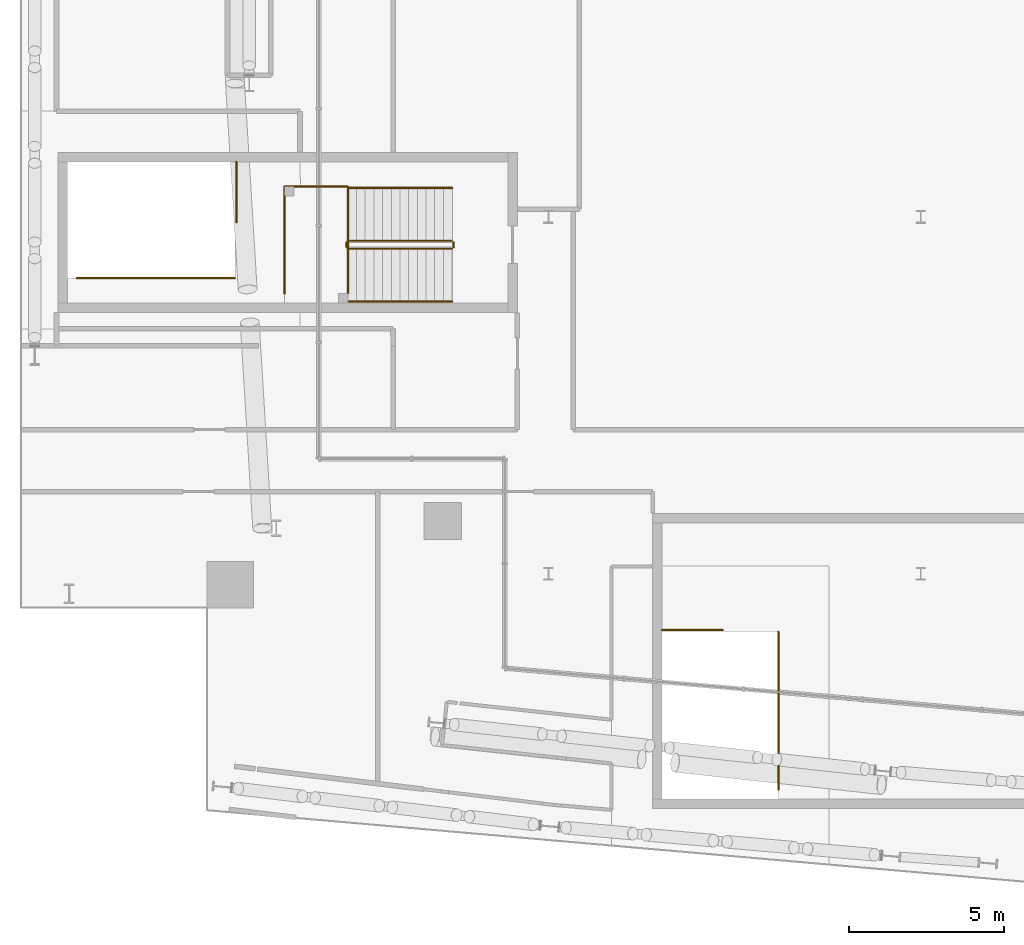
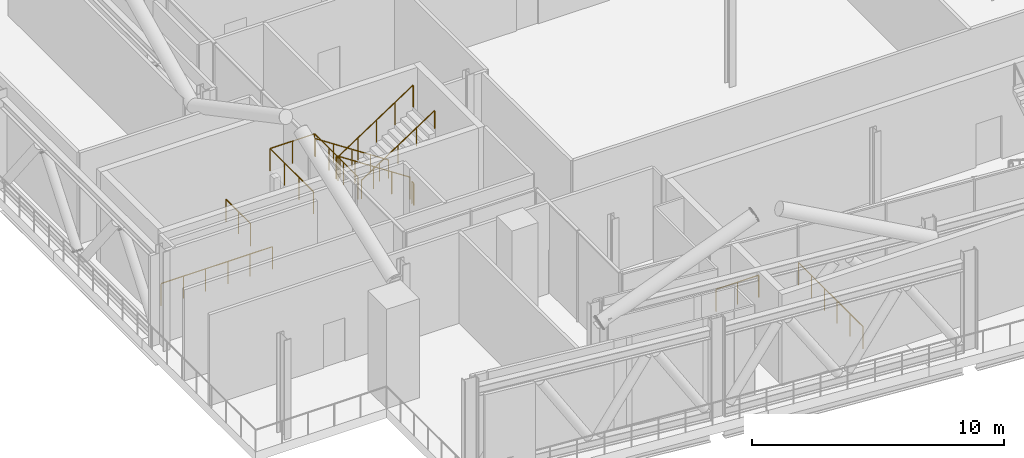
# One storey, part 30 of 35: 11 railings.
"""IFC4 building model written with IfcOpenShell, lengths in metres."""

from ifc_helpers import new_model, si_unit, direction, frame, origin, origin_2d, place, context, subcontext, project, spatial, circle, extrude, material, type_object, element, save


model = new_model("IFC4")

# Units and contexts
model_context = context("Model", 3, precision=1e-05, world=origin(), true_north=direction((0.0, 1.0)))
body_context = subcontext(model_context, "Body", "Model", "MODEL_VIEW")
ifc_project = project(units=[si_unit("LENGTHUNIT", "METRE"), si_unit("AREAUNIT", "SQUARE_METRE"), si_unit("VOLUMEUNIT", "CUBIC_METRE"), si_unit("PLANEANGLEUNIT", "RADIAN"), si_unit("MASSUNIT", "GRAM", prefix="KILO")], contexts=[model_context])

# Site, building, storey
site_placement = place(None, origin())
site = spatial("IfcSite", under=ifc_project, at=site_placement, CompositionType="ELEMENT")
building_placement = place(site_placement, origin())
building = spatial("IfcBuilding", under=site, at=building_placement, Name="Wharfspan Tower", CompositionType="ELEMENT")
storey_placement = place(building_placement, frame((0.0, 0.0, 202.300049)))
storey = spatial("IfcBuildingStorey", under=building, at=storey_placement, Name="L50", CompositionType="ELEMENT", Elevation=202.300049)

# Railings
ifc_material = material(Name="Steel S355J2", Category="steel")
railing_type_1 = type_object("IfcRailingType", Name="Stair guard 1100", PredefinedType="GUARDRAIL", material=ifc_material)
railing_1_placement = place(storey_placement, frame((17.540039, 23.975098, 2.399902)))
element("IfcRailing", 1, at=railing_1_placement, inside=storey, type_object=railing_type_1, Name="L50 ST3 band guard 1", PredefinedType="GUARDRAIL", context=body_context, shape_type="SweptSolid", body=[
    extrude(circle(Radius=0.023926, at=origin_2d()), frame((0.0, 0.0, 1.076172), z_axis=(-1.0, 0.0, 0.0), x_axis=(0.0, -1.0, 0.0)), (0.0, 0.0, 1.0), 2.040039),
    extrude(circle(Radius=0.020996, at=origin_2d()), origin(), (0.0, 0.0, 1.0), 1.052002),
    extrude(circle(Radius=0.020996, at=origin_2d()), frame((-1.02002, 0.0, 0.0)), (0.0, 0.0, 1.0), 1.052002),
    extrude(circle(Radius=0.020996, at=origin_2d()), frame((-2.040039, 0.0, 0.0)), (0.0, 0.0, 1.0), 1.052002),
])
railing_2_placement = place(storey_placement, frame((15.5, 23.975098, 2.399902)))
element("IfcRailing", 2, at=railing_2_placement, inside=storey, type_object=railing_type_1, Name="L50 ST3 band guard 2", PredefinedType="GUARDRAIL", context=body_context, shape_type="SweptSolid", body=[
    extrude(circle(Radius=0.023926, at=origin_2d()), frame((0.0, 0.0, 1.076172), z_axis=(0.0, -1.0, 0.0), x_axis=(1.0, 0.0, 0.0)), (0.0, 0.0, 1.0), 3.440186),
    extrude(circle(Radius=0.020996, at=origin_2d()), origin(), (0.0, 0.0, 1.0), 1.052002),
    extrude(circle(Radius=0.020996, at=origin_2d()), frame((0.0, -1.146729, 0.0)), (0.0, 0.0, 1.0), 1.052002),
    extrude(circle(Radius=0.020996, at=origin_2d()), frame((0.0, -2.293457, 0.0)), (0.0, 0.0, 1.0), 1.052002),
    extrude(circle(Radius=0.020996, at=origin_2d()), frame((0.0, -3.440186, 0.0)), (0.0, 0.0, 1.0), 1.052002),
])
railing_3_placement = place(storey_placement, frame((17.540039, 20.534912, 2.399902)))
element("IfcRailing", 3, at=railing_3_placement, inside=storey, type_object=railing_type_1, Name="L50 ST3 band guard 3", PredefinedType="GUARDRAIL", context=body_context, shape_type="SweptSolid", body=[
    extrude(circle(Radius=0.023926, at=origin_2d()), frame((0.0, 0.0, 1.076172), z_axis=(0.0, 1.0, 0.0), x_axis=(-1.0, 0.0, 0.0)), (0.0, 0.0, 1.0), 3.440186),
    extrude(circle(Radius=0.020996, at=origin_2d()), origin(), (0.0, 0.0, 1.0), 1.052002),
    extrude(circle(Radius=0.020996, at=origin_2d()), frame((0.0, 1.146729, 0.0)), (0.0, 0.0, 1.0), 1.052002),
    extrude(circle(Radius=0.020996, at=origin_2d()), frame((0.0, 2.293457, 0.0)), (0.0, 0.0, 1.0), 1.052002),
    extrude(circle(Radius=0.020996, at=origin_2d()), frame((0.0, 3.440186, 0.0)), (0.0, 0.0, 1.0), 1.052002),
])
railing_4_placement = place(storey_placement, frame((8.810059, 21.024902, 0.0)))
element("IfcRailing", 4, at=railing_4_placement, inside=storey, type_object=railing_type_1, Name="L50 ST3 band guard 4", PredefinedType="GUARDRAIL", context=body_context, shape_type="SweptSolid", body=[
    extrude(circle(Radius=0.023926, at=origin_2d()), frame((0.0, 0.0, 1.076172), z_axis=(1.0, 0.0, 0.0), x_axis=(0.0, 1.0, 0.0)), (0.0, 0.0, 1.0), 5.089844),
    extrude(circle(Radius=0.020996, at=origin_2d()), origin(), (0.0, 0.0, 1.0), 1.052002),
    extrude(circle(Radius=0.020996, at=origin_2d()), frame((1.018066, 0.0, 0.0)), (0.0, 0.0, 1.0), 1.052002),
    extrude(circle(Radius=0.020996, at=origin_2d()), frame((2.035889, 0.0, 0.0)), (0.0, 0.0, 1.0), 1.052002),
    extrude(circle(Radius=0.020996, at=origin_2d()), frame((3.053955, 0.0, 0.0)), (0.0, 0.0, 1.0), 1.052002),
    extrude(circle(Radius=0.020996, at=origin_2d()), frame((4.071777, 0.0, 0.0)), (0.0, 0.0, 1.0), 1.052002),
    extrude(circle(Radius=0.020996, at=origin_2d()), frame((5.089844, 0.0, 0.0)), (0.0, 0.0, 1.0), 1.052002),
])
railing_5_placement = place(storey_placement, frame((31.414307, 4.544189, 0.0)))
element("IfcRailing", 5, at=railing_5_placement, inside=storey, type_object=railing_type_1, Name="L50 ST4 band guard 4", PredefinedType="GUARDRAIL", context=body_context, shape_type="SweptSolid", body=[
    extrude(circle(Radius=0.023926, at=origin_2d()), frame((0.0, 0.0, 1.076172), z_axis=(0.0, 1.0, 0.0), x_axis=(-1.0, 0.0, 0.0)), (0.0, 0.0, 1.0), 5.090088),
    extrude(circle(Radius=0.020996, at=origin_2d()), origin(), (0.0, 0.0, 1.0), 1.052002),
    extrude(circle(Radius=0.020996, at=origin_2d()), frame((0.0, 1.018066, 0.0)), (0.0, 0.0, 1.0), 1.052002),
    extrude(circle(Radius=0.020996, at=origin_2d()), frame((0.0, 2.036133, 0.0)), (0.0, 0.0, 1.0), 1.052002),
    extrude(circle(Radius=0.020996, at=origin_2d()), frame((0.0, 3.053955, 0.0)), (0.0, 0.0, 1.0), 1.052002),
    extrude(circle(Radius=0.020996, at=origin_2d()), frame((0.0, 4.072021, 0.0)), (0.0, 0.0, 1.0), 1.052002),
    extrude(circle(Radius=0.020996, at=origin_2d()), frame((0.0, 5.090088, 0.0)), (0.0, 0.0, 1.0), 1.052002),
])
railing_6_placement = place(storey_placement, frame((13.949951, 24.774902, 0.0)))
element("IfcRailing", 6, at=railing_6_placement, inside=storey, type_object=railing_type_1, Name="L50 ST3 top well guard 1", PredefinedType="GUARDRAIL", context=body_context, shape_type="SweptSolid", body=[
    extrude(circle(Radius=0.023926, at=origin_2d()), frame((0.0, 0.0, 1.076172), z_axis=(0.0, -1.0, 0.0), x_axis=(1.0, 0.0, 0.0)), (0.0, 0.0, 1.0), 1.949951),
    extrude(circle(Radius=0.020996, at=origin_2d()), origin(), (0.0, 0.0, 1.0), 1.052002),
    extrude(circle(Radius=0.020996, at=origin_2d()), frame((0.0, -0.975098, 0.0)), (0.0, 0.0, 1.0), 1.052002),
    extrude(circle(Radius=0.020996, at=origin_2d()), frame((0.0, -1.949951, 0.0)), (0.0, 0.0, 1.0), 1.052002),
])
railing_7_placement = place(storey_placement, frame((27.664307, 9.684326, 0.0)))
element("IfcRailing", 7, at=railing_7_placement, inside=storey, type_object=railing_type_1, Name="L50 ST4 top well guard 1", PredefinedType="GUARDRAIL", context=body_context, shape_type="SweptSolid", body=[
    extrude(circle(Radius=0.023926, at=origin_2d()), frame((0.0, 0.0, 1.076172), z_axis=(1.0, 0.0, 0.0), x_axis=(0.0, 1.0, 0.0)), (0.0, 0.0, 1.0), 1.949951),
    extrude(circle(Radius=0.020996, at=origin_2d()), origin(), (0.0, 0.0, 1.0), 1.052002),
    extrude(circle(Radius=0.020996, at=origin_2d()), frame((0.975098, 0.0, 0.0)), (0.0, 0.0, 1.0), 1.052002),
    extrude(circle(Radius=0.020996, at=origin_2d()), frame((1.949951, 0.0, 0.0)), (0.0, 0.0, 1.0), 1.052002),
])
railing_8_placement = place(storey_placement, frame((20.899902, 22.225098, 0.18457)))
element("IfcRailing", 8, at=railing_8_placement, inside=storey, type_object=railing_type_1, Name="L50 ST3 stair guard 1", PredefinedType="GUARDRAIL", context=body_context, shape_type="SweptSolid", body=[
    extrude(circle(Radius=0.023926, at=origin_2d()), frame((0.0, 0.0, 1.076172), z_axis=(-0.834858, 0.0, 0.550465), x_axis=(0.0, -1.0, 0.0)), (0.0, 0.0, 1.0), 4.024414),
    extrude(circle(Radius=0.023926, at=origin_2d()), frame((-3.359863, 0.0, 3.291504), z_axis=(-0.707107, -0.707107, 0.0), x_axis=(0.707107, -0.707107, 0.0)), (0.0, 0.0, 1.0), 0.070801),
    extrude(circle(Radius=0.023926, at=origin_2d()), frame((-3.409912, -0.050049, 3.291504), z_axis=(0.0, -1.0, 0.0), x_axis=(1.0, 0.0, 0.0)), (0.0, 0.0, 1.0), 0.150146),
    extrude(circle(Radius=0.023926, at=origin_2d()), frame((-3.409912, -0.200195, 3.291504), z_axis=(0.253265, -0.252029, 0.933991), x_axis=(0.705374, 0.708837, 1e-06)), (0.0, 0.0, 1.0), 0.19751),
    extrude(circle(Radius=0.023926, at=origin_2d()), frame((-3.359863, -0.25, 3.476074), z_axis=(0.83483, 0.0, 0.550508), x_axis=(0.0, 1.0, 0.0)), (0.0, 0.0, 1.0), 4.024658),
    extrude(circle(Radius=0.020996, at=origin_2d()), origin(), (0.0, 0.0, 1.0), 1.052002),
    extrude(circle(Radius=0.020996, at=origin_2d()), frame((-0.839844, 0.0, 0.553711)), (0.0, 0.0, 1.0), 1.052002),
    extrude(circle(Radius=0.020996, at=origin_2d()), frame((-1.679932, 0.0, 1.107666)), (0.0, 0.0, 1.0), 1.052002),
    extrude(circle(Radius=0.020996, at=origin_2d()), frame((-2.52002, 0.0, 1.661621)), (0.0, 0.0, 1.0), 1.052002),
    extrude(circle(Radius=0.020996, at=origin_2d()), frame((-3.359863, 0.0, 2.215332)), (0.0, 0.0, 1.0), 1.052002),
    extrude(circle(Radius=0.020996, at=origin_2d()), frame((-3.409912, -0.050049, 2.215332)), (0.0, 0.0, 1.0), 1.052002),
    extrude(circle(Radius=0.020996, at=origin_2d()), frame((-3.409912, -0.200195, 2.215332)), (0.0, 0.0, 1.0), 1.052002),
    extrude(circle(Radius=0.020996, at=origin_2d()), frame((-3.359863, -0.25, 2.399902)), (0.0, 0.0, 1.0), 1.052002),
    extrude(circle(Radius=0.020996, at=origin_2d()), frame((-2.52002, -0.25, 2.953857)), (0.0, 0.0, 1.0), 1.052002),
    extrude(circle(Radius=0.020996, at=origin_2d()), frame((-1.679932, -0.25, 3.507812)), (0.0, 0.0, 1.0), 1.052002),
    extrude(circle(Radius=0.020996, at=origin_2d()), frame((-0.839844, -0.25, 4.061523)), (0.0, 0.0, 1.0), 1.052002),
    extrude(circle(Radius=0.020996, at=origin_2d()), frame((0.0, -0.25, 4.615479)), (0.0, 0.0, 1.0), 1.052002),
])
railing_9_placement = place(storey_placement, frame((20.949951, 22.175049, 0.0)))
element("IfcRailing", 9, at=railing_9_placement, inside=storey, type_object=railing_type_1, Name="L50 ST3 stair guard 2", PredefinedType="GUARDRAIL", context=body_context, shape_type="SweptSolid", body=[
    extrude(circle(Radius=0.023926, at=origin_2d()), frame((0.0, 0.0, 1.076172), z_axis=(0.0, -1.0, 0.0), x_axis=(1.0, 0.0, 0.0)), (0.0, 0.0, 1.0), 0.150146),
    extrude(circle(Radius=0.020996, at=origin_2d()), origin(), (0.0, 0.0, 1.0), 1.052002),
    extrude(circle(Radius=0.020996, at=origin_2d()), frame((0.0, -0.150146, 0.0)), (0.0, 0.0, 1.0), 1.052002),
])
railing_type_2 = type_object("IfcRailingType", Name="Stair handrail 900", PredefinedType="HANDRAIL", material=ifc_material)
railing_10_placement = place(storey_placement, frame((20.899902, 23.925049, 0.18457)))
element("IfcRailing", 10, at=railing_10_placement, inside=storey, type_object=railing_type_2, Name="L50 ST3 stair handrail 1", PredefinedType="HANDRAIL", context=body_context, shape_type="SweptSolid", body=[
    extrude(circle(Radius=0.023926, at=origin_2d()), frame((0.0, 0.0, 0.875977), z_axis=(-0.834858, 0.0, 0.550465), x_axis=(0.0, -1.0, 0.0)), (0.0, 0.0, 1.0), 4.024414),
    extrude(circle(Radius=0.020996, at=origin_2d()), origin(), (0.0, 0.0, 1.0), 0.851807),
    extrude(circle(Radius=0.020996, at=origin_2d()), frame((-0.839844, 0.0, 0.553711)), (0.0, 0.0, 1.0), 0.851807),
    extrude(circle(Radius=0.020996, at=origin_2d()), frame((-1.679932, 0.0, 1.107666)), (0.0, 0.0, 1.0), 0.851807),
    extrude(circle(Radius=0.020996, at=origin_2d()), frame((-2.52002, 0.0, 1.661621)), (0.0, 0.0, 1.0), 0.851807),
    extrude(circle(Radius=0.020996, at=origin_2d()), frame((-3.359863, 0.0, 2.215332)), (0.0, 0.0, 1.0), 0.851807),
])
railing_11_placement = place(storey_placement, frame((17.540039, 20.274902, 2.584473)))
element("IfcRailing", 11, at=railing_11_placement, inside=storey, type_object=railing_type_2, Name="L50 ST3 stair handrail 2", PredefinedType="HANDRAIL", context=body_context, shape_type="SweptSolid", body=[
    extrude(circle(Radius=0.023926, at=origin_2d()), frame((0.0, 0.0, 0.875977), z_axis=(0.83483, 0.0, 0.550508), x_axis=(0.0, 1.0, 0.0)), (0.0, 0.0, 1.0), 4.024658),
    extrude(circle(Radius=0.020996, at=origin_2d()), origin(), (0.0, 0.0, 1.0), 0.851807),
    extrude(circle(Radius=0.020996, at=origin_2d()), frame((0.839844, 0.0, 0.553955)), (0.0, 0.0, 1.0), 0.851807),
    extrude(circle(Radius=0.020996, at=origin_2d()), frame((1.679932, 0.0, 1.10791)), (0.0, 0.0, 1.0), 0.851807),
    extrude(circle(Radius=0.020996, at=origin_2d()), frame((2.52002, 0.0, 1.661621)), (0.0, 0.0, 1.0), 0.851807),
    extrude(circle(Radius=0.020996, at=origin_2d()), frame((3.359863, 0.0, 2.215576)), (0.0, 0.0, 1.0), 0.851807),
])

save(model, "model.ifc")
